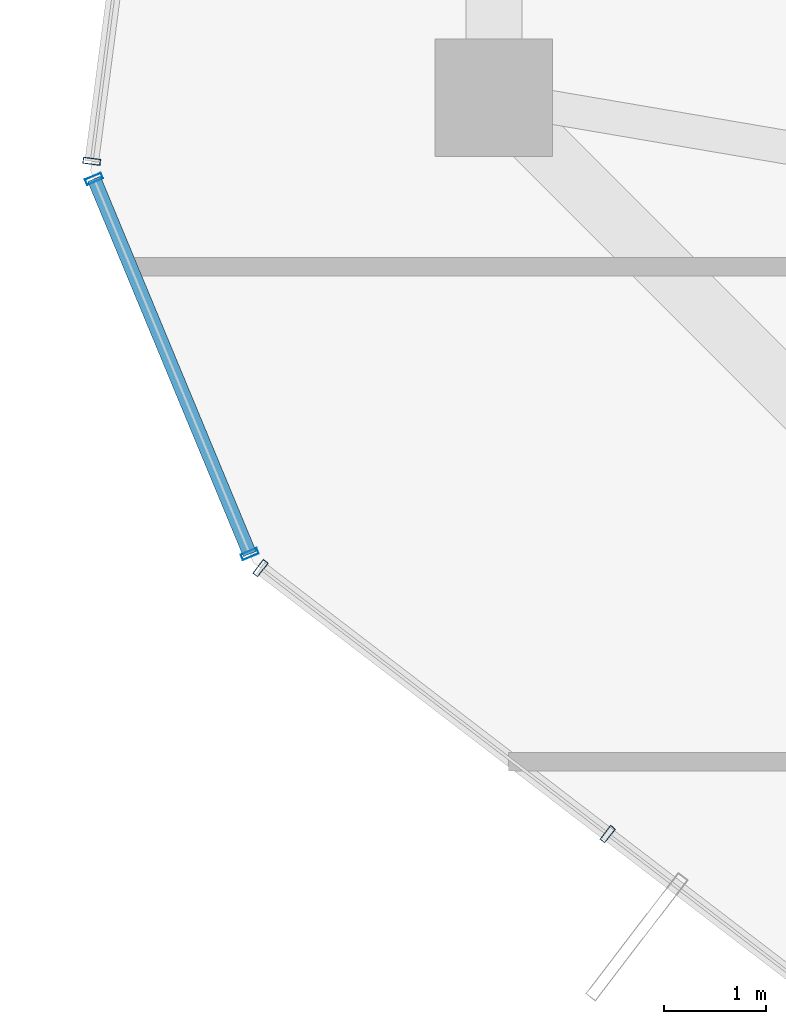
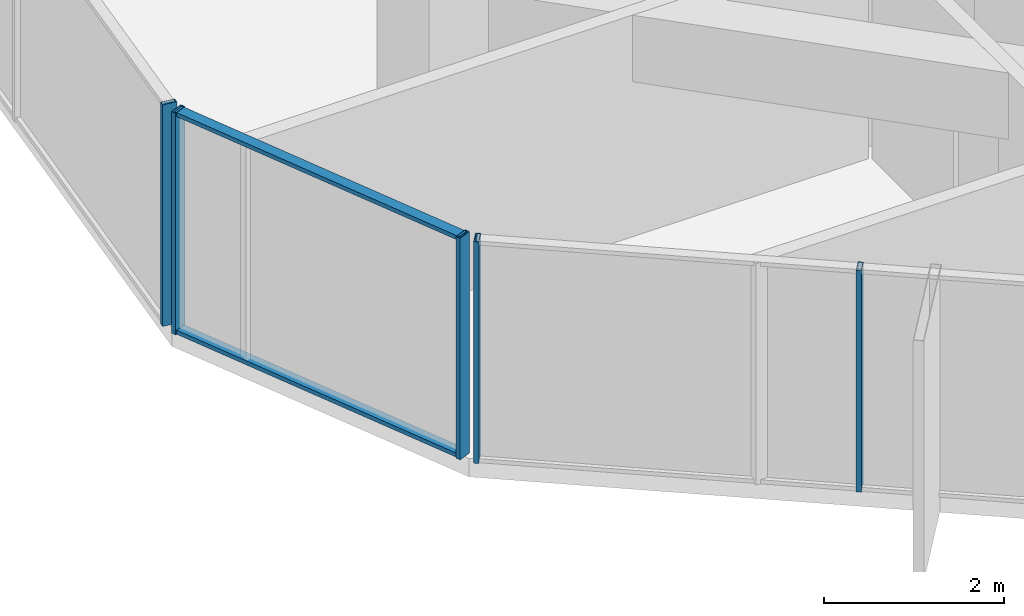
# One storey, part 4 of 30: 7 members, 3 elements without a shape of their own.
"""IFC4 building model written with IfcOpenShell, lengths in metres."""

from ifc_helpers import new_model, si_unit, direction, frame, origin, origin_2d, place, context, subcontext, project, spatial, hollow_rectangle, extrude, source, transform, mapped, material, layer, layer_set, material_profile, profile_set, type_object, element, aggregate, save


model = new_model("IFC4")

# Units and contexts
model_context = context("Model", 3, precision=1e-05, world=origin(), true_north=direction((0.0, 1.0)))
body_context = subcontext(model_context, "Body", "Model", "MODEL_VIEW")
ifc_project = project(units=[si_unit("LENGTHUNIT", "METRE"), si_unit("AREAUNIT", "SQUARE_METRE"), si_unit("VOLUMEUNIT", "CUBIC_METRE"), si_unit("PLANEANGLEUNIT", "RADIAN"), si_unit("MASSUNIT", "GRAM", prefix="KILO")], contexts=[model_context])

# Site, building, storey
site_placement = place(None, origin())
site = spatial("IfcSite", under=ifc_project, at=site_placement, CompositionType="ELEMENT")
building_placement = place(site_placement, origin())
building = spatial("IfcBuilding", under=site, at=building_placement, Name="Veraguas Prism Commons", CompositionType="ELEMENT")
storey_placement = place(building_placement, frame((0.0, 0.0, 102.449951171875)))
storey = spatial("IfcBuildingStorey", under=building, at=storey_placement, Name="L28", CompositionType="ELEMENT", Elevation=102.449951171875)

# Curtain wall, member
ifc_material = material(Name="Anodised aluminium EN AW-6063 T6", Category="aluminium")
ifc_layer = layer(ifc_material, 0.169921875, Name="Unitised Flush Curtain Wall Zone 2", Category="aluminium")
ifc_layer_set = layer_set([ifc_layer], Name="Anodised aluminium EN AW-6063 T6")
curtain_wall_type = type_object("IfcCurtainWallType", Name="Unitised Flush Curtain Wall Zone 2", PredefinedType="NOTDEFINED", material=ifc_layer_set)
curtain_wall_1_placement = place(storey_placement, origin())
curtain_wall_1 = element("IfcCurtainWall", 1, at=curtain_wall_1_placement, inside=storey, type_object=curtain_wall_type, Name="Tower Facade Curtain Wall L28-F3", PredefinedType="NOTDEFINED")
ifc_material_profile_1 = material_profile(ifc_material, hollow_rectangle(XDim=0.06005859375, YDim=0.169921875, WallThickness=0.00390625, at=origin_2d()), Name="AL60X170X4")
ifc_profile_set_1 = profile_set([ifc_material_profile_1], Name="Anodised aluminium EN AW-6063 T6")
member_type_1 = type_object("IfcMemberType", Name="Curtain Wall Mullion Lower AL 60x170x4", PredefinedType="MULLION", material=ifc_profile_set_1)
shared_shape_1 = source(origin(), body_context, "Body", "SweptSolid", [
    extrude(hollow_rectangle(XDim=0.06005859375, YDim=0.169921875, WallThickness=0.00390625, at=origin_2d()), origin(), (0.0, 0.0, 1.0), 3.0),
])
member_1_placement = place(storey_placement, frame((3.864990234375, 17.97607421875, 0.0), z_axis=(0.0, 0.0, 1.0), x_axis=(-0.129834001381, -0.99153574423, 0.0)))
member_1 = element("IfcMember", 2, at=member_1_placement, type_object=member_type_1, Name="CW-Z2 Mullion 5", PredefinedType="MULLION", context=body_context, shape_type="MappedRepresentation", body=[
    mapped(shared_shape_1, transform((0.0, 0.0, 0.0), scale=1.0)),
])
aggregate(curtain_wall_1, [member_1])

# Curtain wall, members
curtain_wall_2_placement = place(storey_placement, origin())
curtain_wall_2 = element("IfcCurtainWall", 3, at=curtain_wall_2_placement, inside=storey, type_object=curtain_wall_type, Name="Tower Facade Curtain Wall L28-F4", PredefinedType="NOTDEFINED")
member_2_placement = place(storey_placement, frame((5.5166015625, 13.99609375, 0.0), z_axis=(0.0, 0.0, 1.0), x_axis=(0.793778142573, -0.608207415585, 0.0)))
member_2 = element("IfcMember", 4, at=member_2_placement, type_object=member_type_1, Name="CW-Z2 Mullion 1", PredefinedType="MULLION", context=body_context, shape_type="MappedRepresentation", body=[
    mapped(shared_shape_1, transform((0.0, 0.0, 0.0), scale=1.0)),
])
member_3_placement = place(storey_placement, frame((8.9130859375, 11.393798828125, 0.0), z_axis=(0.0, 0.0, 1.0), x_axis=(0.793778142573, -0.608207415585, 0.0)))
member_3 = element("IfcMember", 5, at=member_3_placement, type_object=member_type_1, Name="CW-Z2 Mullion 2", PredefinedType="MULLION", context=body_context, shape_type="MappedRepresentation", body=[
    mapped(shared_shape_1, transform((0.0, 0.0, 0.0), scale=1.0)),
])
aggregate(curtain_wall_2, [member_2, member_3])

curtain_wall_3_placement = place(storey_placement, origin())
curtain_wall_3 = element("IfcCurtainWall", 6, at=curtain_wall_3_placement, inside=storey, type_object=curtain_wall_type, Name="Chamfer Curtain Wall L28-C4", PredefinedType="NOTDEFINED")
member_4_placement = place(storey_placement, frame((3.8876953125, 17.8037109375, 0.0), z_axis=(0.0, 0.0, 1.0), x_axis=(0.383320268593, -0.923615489089, 0.0)))
member_4 = element("IfcMember", 7, at=member_4_placement, type_object=member_type_1, Name="CW-Z2 Mullion 1", PredefinedType="MULLION", context=body_context, shape_type="MappedRepresentation", body=[
    mapped(shared_shape_1, transform((0.0, 0.0, 0.0), scale=1.0)),
])
member_5_placement = place(storey_placement, frame((5.410888671875, 14.134033203125, 0.0), z_axis=(0.0, 0.0, 1.0), x_axis=(0.383320268593, -0.923615489089, 0.0)))
member_5 = element("IfcMember", 8, at=member_5_placement, type_object=member_type_1, Name="CW-Z2 Mullion 2", PredefinedType="MULLION", context=body_context, shape_type="MappedRepresentation", body=[
    mapped(shared_shape_1, transform((0.0, 0.0, 0.0), scale=1.0)),
])
ifc_material_profile_2 = material_profile(ifc_material, hollow_rectangle(XDim=0.054931640625, YDim=0.135009765625, WallThickness=0.0029296875, at=origin_2d()), Name="AL55X135X3")
ifc_profile_set_2 = profile_set([ifc_material_profile_2], Name="Anodised aluminium EN AW-6063 T6")
member_type_2 = type_object("IfcMemberType", Name="Curtain Wall Transom Standard AL 55x135x3", PredefinedType="USERDEFINED", material=ifc_profile_set_2)
shared_shape_2 = source(origin(), body_context, "Body", "SweptSolid", [
    extrude(hollow_rectangle(XDim=0.054931640625, YDim=0.135009765625, WallThickness=0.0029296875, at=origin_2d()), origin(), (0.0, 0.0, 1.0), 3.97314453125),
])
member_6_placement = place(storey_placement, frame((3.8876953125, 17.8037109375, 0.027587890625), z_axis=(0.383362837177, -0.923597821063, 0.0), x_axis=(0.0, 0.0, 1.0)))
member_6 = element("IfcMember", 9, at=member_6_placement, type_object=member_type_2, Name="CW-Z2 Transom 1", ObjectType="TRANSOM", PredefinedType="USERDEFINED", context=body_context, shape_type="MappedRepresentation", body=[
    mapped(shared_shape_2, transform((0.0, 0.0, 0.0), scale=1.0)),
])
member_7_placement = place(storey_placement, frame((3.8876953125, 17.8037109375, 2.97265625), z_axis=(0.383362837177, -0.923597821063, 0.0), x_axis=(0.0, 0.0, 1.0)))
member_7 = element("IfcMember", 10, at=member_7_placement, type_object=member_type_2, Name="CW-Z2 Transom 2", ObjectType="TRANSOM", PredefinedType="USERDEFINED", context=body_context, shape_type="MappedRepresentation", body=[
    mapped(shared_shape_2, transform((0.0, 0.0, 0.0), scale=1.0)),
])
aggregate(curtain_wall_3, [member_4, member_5, member_6, member_7])

save(model, "model.ifc")
